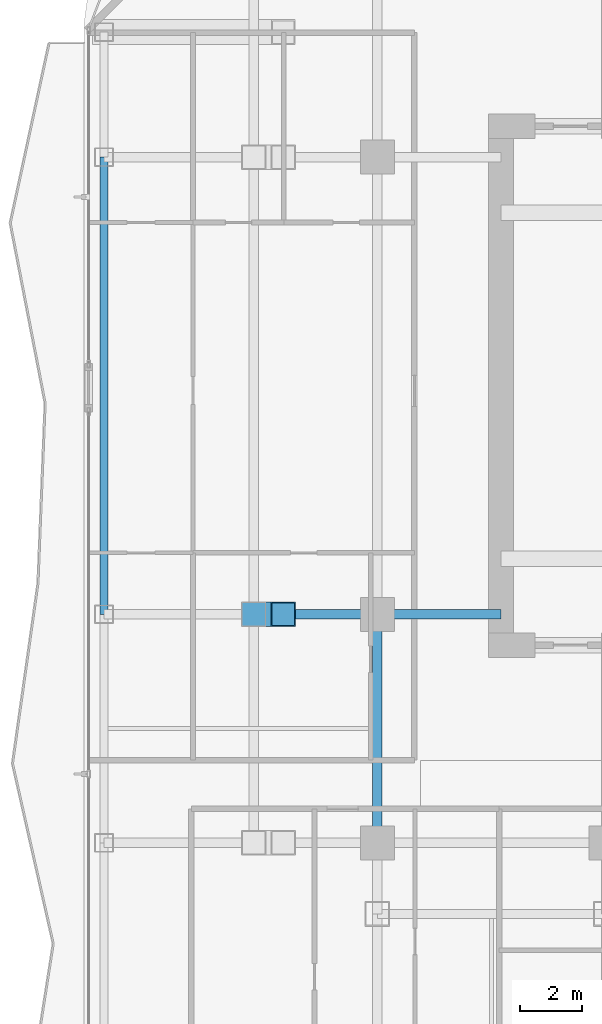
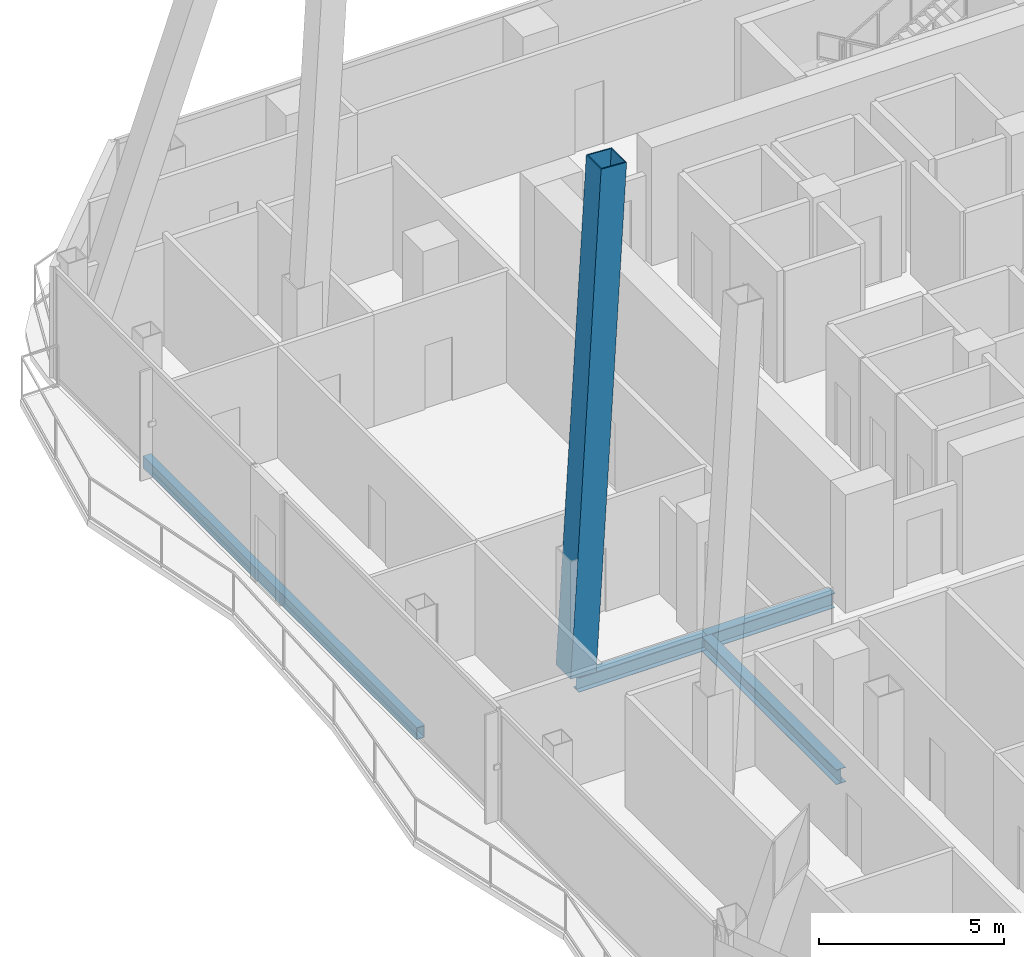
# One storey, part 6 of 27: 4 beams, 1 member.
"""IFC4 building model written with IfcOpenShell, lengths in metres."""

from ifc_helpers import new_model, si_unit, direction, frame, origin, origin_2d, place, context, subcontext, project, spatial, hollow_rectangle, i_section, extrude, material, material_profile, profile_set, type_object, element, save


model = new_model("IFC4")

# Units and contexts
model_context = context("Model", 3, precision=1e-05, world=origin(), true_north=direction((0.0, 1.0)))
body_context = subcontext(model_context, "Body", "Model", "MODEL_VIEW")
ifc_project = project(units=[si_unit("LENGTHUNIT", "METRE"), si_unit("AREAUNIT", "SQUARE_METRE"), si_unit("VOLUMEUNIT", "CUBIC_METRE"), si_unit("PLANEANGLEUNIT", "RADIAN"), si_unit("MASSUNIT", "GRAM", prefix="KILO")], contexts=[model_context])

# Site, building, storey
site_placement = place(None, origin())
site = spatial("IfcSite", under=ifc_project, at=site_placement, CompositionType="ELEMENT")
building_placement = place(site_placement, origin())
building = spatial("IfcBuilding", under=site, at=building_placement, Name="Khorvyn Point Tower", CompositionType="ELEMENT")
storey_placement = place(building_placement, frame((0.0, 0.0, 203.10009765625)))
storey = spatial("IfcBuildingStorey", under=building, at=storey_placement, Name="L50", CompositionType="ELEMENT", Elevation=203.10009765625)

# Beams
ifc_material_1 = material(Name="Steel S355", Category="steel")
ifc_material_profile_1 = material_profile(ifc_material_1, i_section(OverallWidth=0.300048828125, OverallDepth=0.488037109375, WebThickness=0.010986328125, FlangeThickness=0.01806640625, at=origin_2d()))
ifc_profile_set_1 = profile_set([ifc_material_profile_1], Name="Steel S355 H488x300x11x18")
beam_type_1 = type_object("IfcBeamType", Name="Steel S355 Spandrel H488x300x11x18", PredefinedType="SPANDREL", material=ifc_profile_set_1)
for number, where, z_axis, x_axis, name in (
    (1, (-18.800048828125, -7.39990234375, -0.464111328125), (1.0, 0.0, 0.0), (0.0, 1.0, 0.0), "Beam"),
    (2, (-14.800048828125, -7.39990234375, -0.464111328125), (1.0, 0.0, 0.0), (0.0, 1.0, 0.0), "Beam"),
):
    element("IfcBeam", number, at=place(storey_placement, frame(where, z_axis=z_axis, x_axis=x_axis)), inside=storey, type_object=beam_type_1, Name=name, PredefinedType="SPANDREL", context=body_context, shape_type="SweptSolid", body=[
        extrude(i_section(OverallWidth=0.300048828125, OverallDepth=0.488037109375, WebThickness=0.010986328125, FlangeThickness=0.01806640625, at=origin_2d()), origin(), (0.0, 0.0, 1.0), 4.0),
    ])
beam_1_placement = place(storey_placement, frame((-14.800048828125, -14.800048828125, -0.464111328125), z_axis=(0.0, 1.0, 0.0), x_axis=(-1.0, 0.0, 0.0)))
element("IfcBeam", 3, at=beam_1_placement, inside=storey, type_object=beam_type_1, Name="Beam", PredefinedType="SPANDREL", context=body_context, shape_type="SweptSolid", body=[
    extrude(i_section(OverallWidth=0.300048828125, OverallDepth=0.488037109375, WebThickness=0.010986328125, FlangeThickness=0.01806640625, at=origin_2d()), origin(), (0.0, 0.0, 1.0), 7.400146484375),
])
ifc_material_profile_2 = material_profile(ifc_material_1, hollow_rectangle(XDim=0.25, YDim=0.39990234375, WallThickness=0.01611328125, at=origin_2d()))
ifc_profile_set_2 = profile_set([ifc_material_profile_2], Name="Steel S355 RHS400x250x16")
beam_type_2 = type_object("IfcBeamType", Name="Steel S355 Spandrel RHS400x250x16", PredefinedType="SPANDREL", material=ifc_profile_set_2)
beam_2_placement = place(storey_placement, frame((-23.64990234375, -7.39990234375, -0.420166015625), z_axis=(0.0, 1.0, 0.0), x_axis=(-1.0, 0.0, 0.0)))
element("IfcBeam", 4, at=beam_2_placement, inside=storey, type_object=beam_type_2, Name="Beam", PredefinedType="SPANDREL", context=body_context, shape_type="SweptSolid", body=[
    extrude(hollow_rectangle(XDim=0.25, YDim=0.39990234375, WallThickness=0.01611328125, at=origin_2d()), origin(), (0.0, 0.0, 1.0), 14.7998046875),
])

# Member
ifc_material_2 = material(Name="Steel S450", Category="steel")
ifc_material_profile_3 = material_profile(ifc_material_2, hollow_rectangle(XDim=0.800048828125, YDim=0.800048828125, WallThickness=0.035888671875, at=origin_2d()))
ifc_profile_set_3 = profile_set([ifc_material_profile_3], Name="Steel S450 BOX800x800x36")
member_type = type_object("IfcMemberType", Name="Steel S450 Exoskeleton Structural Post BOX800x800x36", PredefinedType="POST", material=ifc_profile_set_3)
member_placement = place(storey_placement, frame((-18.800048828125, -7.39990234375, 0.0), z_axis=(0.057477618665, 0.0, 0.998346795133), x_axis=(0.0, 1.0, 0.0)))
element("IfcMember", 5, at=member_placement, inside=storey, type_object=member_type, Name="L50 to L54 Exoskeleton Transfer Post 11", PredefinedType="POST", context=body_context, shape_type="SweptSolid", body=[
    extrude(hollow_rectangle(XDim=0.800048828125, YDim=0.800048828125, WallThickness=0.035888671875, at=origin_2d()), origin(), (0.0, 0.0, 1.0), 16.52734375),
])

save(model, "model.ifc")
